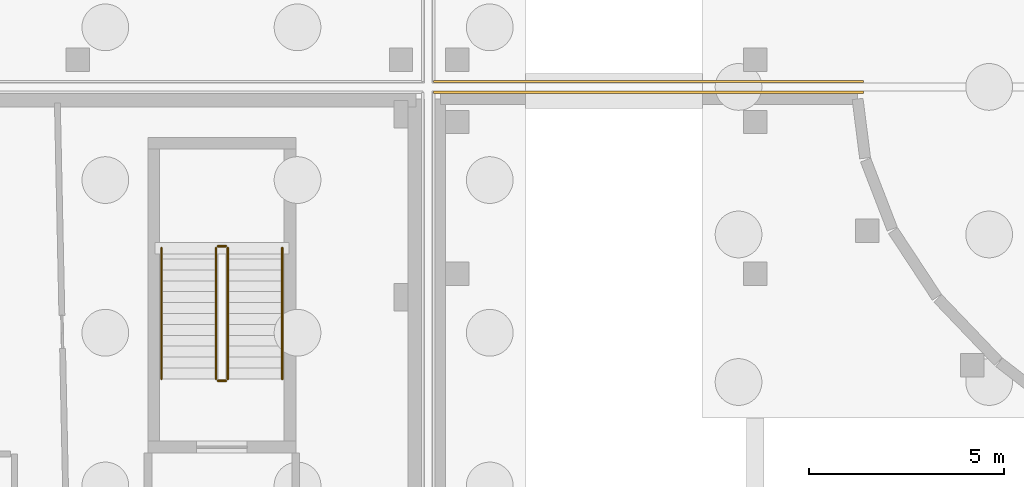
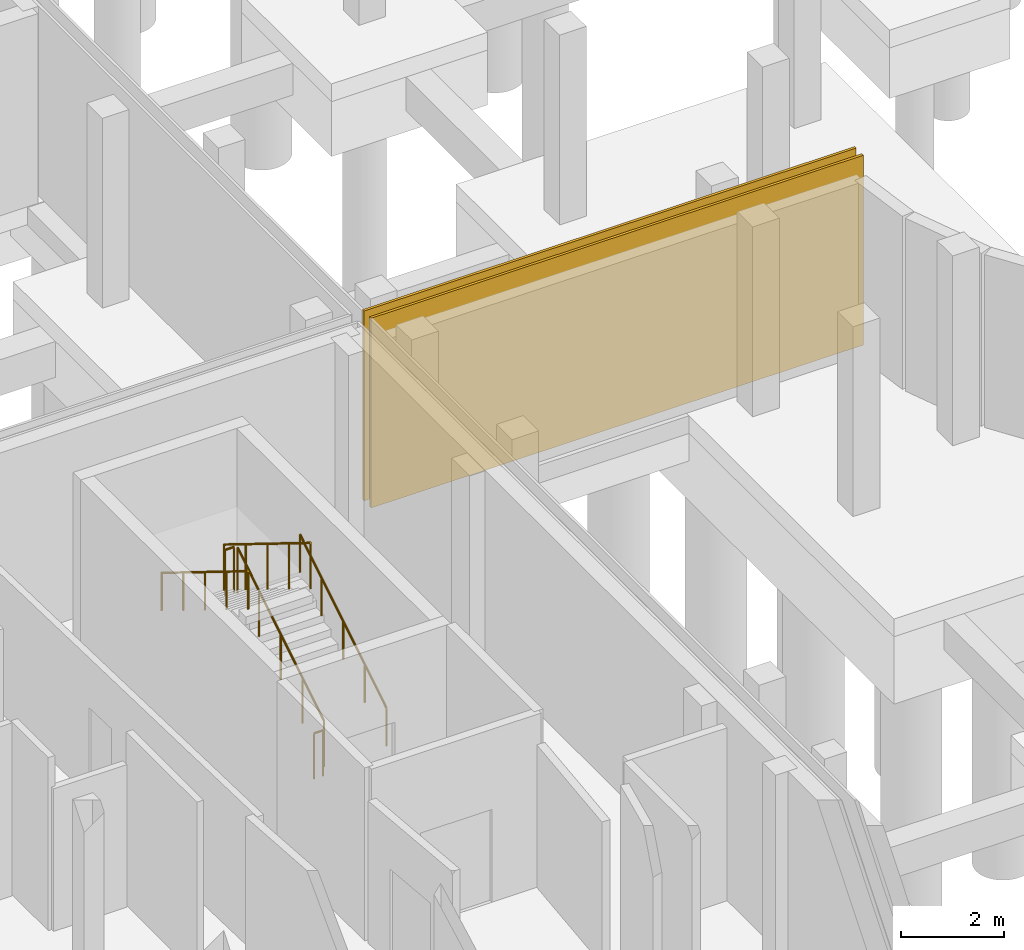
# One storey, part 32 of 40: 6 railings, 2 coverings.
"""IFC4 building model written with IfcOpenShell, lengths in metres."""

from ifc_helpers import new_model, si_unit, direction, frame, origin, origin_2d, place, context, subcontext, project, spatial, rectangle, circle, extrude, material, layer, layer_set, type_object, element, save


model = new_model("IFC4")

# Units and contexts
model_context = context("Model", 3, precision=1e-05, world=origin(), true_north=direction((0.0, 1.0)))
body_context = subcontext(model_context, "Body", "Model", "MODEL_VIEW")
ifc_project = project(units=[si_unit("LENGTHUNIT", "METRE"), si_unit("AREAUNIT", "SQUARE_METRE"), si_unit("VOLUMEUNIT", "CUBIC_METRE"), si_unit("PLANEANGLEUNIT", "RADIAN"), si_unit("MASSUNIT", "GRAM", prefix="KILO")], contexts=[model_context])

# Site, building, storey
site_placement = place(None, origin())
site = spatial("IfcSite", under=ifc_project, at=site_placement, CompositionType="ELEMENT")
building_placement = place(site_placement, origin())
building = spatial("IfcBuilding", under=site, at=building_placement, Name="Mzevani Central Library", CompositionType="ELEMENT")
storey_placement = place(building_placement, frame((0.0, 0.0, -4.5)))
storey = spatial("IfcBuildingStorey", under=building, at=storey_placement, Name="B1", CompositionType="ELEMENT", Elevation=-4.5)

# Railings
ifc_material_1 = material(Name="Brushed stainless steel rail", Category="steel")
railing_type_1 = type_object("IfcRailingType", Name="Interior Gallery and Stair Guard 1100", PredefinedType="BALUSTRADE", material=ifc_material_1)
railing_1_placement = place(storey_placement, frame((40.85009765625, 68.5, 0.173095703125)))
element("IfcRailing", 1, at=railing_1_placement, inside=storey, type_object=railing_type_1, Name="B1 ST-10 stair guard 1", PredefinedType="BALUSTRADE", context=body_context, shape_type="SweptSolid", body=[
    extrude(circle(Radius=0.02392578125, at=origin_2d()), frame((0.0, 0.0, 1.076171875), z_axis=(0.0, 0.850623216509, 0.525775754039), x_axis=(-1.0, 0.0, 0.0)), (0.0, 0.0, 1.0), 3.9501953125),
    extrude(circle(Radius=0.02099609375, at=origin_2d()), origin(), (0.0, 0.0, 1.0), 1.052001953125),
    extrude(circle(Radius=0.02099609375, at=origin_2d()), frame((0.0, 0.840087890625, 0.519287109375)), (0.0, 0.0, 1.0), 1.052001953125),
    extrude(circle(Radius=0.02099609375, at=origin_2d()), frame((0.0, 1.68017578125, 1.03857421875)), (0.0, 0.0, 1.0), 1.052001953125),
    extrude(circle(Radius=0.02099609375, at=origin_2d()), frame((0.0, 2.52001953125, 1.5576171875)), (0.0, 0.0, 1.0), 1.052001953125),
    extrude(circle(Radius=0.02099609375, at=origin_2d()), frame((0.0, 3.360107421875, 2.076904296875)), (0.0, 0.0, 1.0), 1.052001953125),
])
railing_2_placement = place(storey_placement, frame((40.800048828125, 71.909912109375, 2.25)))
element("IfcRailing", 2, at=railing_2_placement, inside=storey, type_object=railing_type_1, Name="B1 ST-10 stair guard 2", PredefinedType="BALUSTRADE", context=body_context, shape_type="SweptSolid", body=[
    extrude(circle(Radius=0.02392578125, at=origin_2d()), frame((0.0, 0.0, 1.076171875), z_axis=(-1.0, 0.0, 0.0), x_axis=(0.0, -1.0, 0.0)), (0.0, 0.0, 1.0), 0.199951171875),
    extrude(circle(Radius=0.02099609375, at=origin_2d()), origin(), (0.0, 0.0, 1.0), 1.052001953125),
    extrude(circle(Radius=0.02099609375, at=origin_2d()), frame((-0.199951171875, 0.0, 0.0)), (0.0, 0.0, 1.0), 1.052001953125),
])
railing_3_placement = place(storey_placement, frame((40.550048828125, 71.860107421875, 2.423095703125)))
element("IfcRailing", 3, at=railing_3_placement, inside=storey, type_object=railing_type_1, Name="B1 ST-10 stair guard 3", PredefinedType="BALUSTRADE", context=body_context, shape_type="SweptSolid", body=[
    extrude(circle(Radius=0.02392578125, at=origin_2d()), frame((0.0, 0.0, 1.076171875), z_axis=(0.0, -0.850623216509, 0.525775754039), x_axis=(1.0, 0.0, 0.0)), (0.0, 0.0, 1.0), 3.9501953125),
    extrude(circle(Radius=0.02099609375, at=origin_2d()), origin(), (0.0, 0.0, 1.0), 1.052001953125),
    extrude(circle(Radius=0.02099609375, at=origin_2d()), frame((0.0, -0.840087890625, 0.519287109375)), (0.0, 0.0, 1.0), 1.052001953125),
    extrude(circle(Radius=0.02099609375, at=origin_2d()), frame((0.0, -1.68017578125, 1.03857421875)), (0.0, 0.0, 1.0), 1.052001953125),
    extrude(circle(Radius=0.02099609375, at=origin_2d()), frame((0.0, -2.52001953125, 1.5576171875)), (0.0, 0.0, 1.0), 1.052001953125),
    extrude(circle(Radius=0.02099609375, at=origin_2d()), frame((0.0, -3.360107421875, 2.076904296875)), (0.0, 0.0, 1.0), 1.052001953125),
])
railing_4_placement = place(storey_placement, frame((40.800048828125, 68.449951171875, 0.0)))
element("IfcRailing", 4, at=railing_4_placement, inside=storey, type_object=railing_type_1, Name="B1 ST-10 stair guard 4", PredefinedType="BALUSTRADE", context=body_context, shape_type="SweptSolid", body=[
    extrude(circle(Radius=0.02392578125, at=origin_2d()), frame((0.0, 0.0, 1.076171875), z_axis=(-1.0, 0.0, 0.0), x_axis=(0.0, -1.0, 0.0)), (0.0, 0.0, 1.0), 0.199951171875),
    extrude(circle(Radius=0.02099609375, at=origin_2d()), origin(), (0.0, 0.0, 1.0), 1.052001953125),
    extrude(circle(Radius=0.02099609375, at=origin_2d()), frame((-0.199951171875, 0.0, 0.0)), (0.0, 0.0, 1.0), 1.052001953125),
])

# Coverings
ifc_material_2 = material(Name="Limestone ashlar cladding", Category="masonry")
ifc_layer = layer(ifc_material_2, 0.050048828125, Name="Limestone Ashlar Spandrel Cladding")
ifc_layer_set = layer_set([ifc_layer], Name="Limestone ashlar cladding")
covering_type = type_object("IfcCoveringType", Name="Limestone Ashlar Spandrel Cladding", PredefinedType="CLADDING", material=ifc_layer_set)
for number, where, z_axis, x_axis, name in (
    (5, (51.65869140625, 75.860107421875, 0.0), (0.0, 0.0, 1.0), (1.0, 0.0, 0.0), "B1 V1 Perimeter Plinth Cladding (4)"),
    (6, (51.65869140625, 76.139892578125, 0.0), (0.0, 0.0, 1.0), (-1.0, 0.0, 0.0), "B1 V3 Perimeter Plinth Cladding (47)"),
):
    element("IfcCovering", number, at=place(storey_placement, frame(where, z_axis=z_axis, x_axis=x_axis)), inside=storey, type_object=covering_type, Name=name, PredefinedType="CLADDING", context=body_context, shape_type="SweptSolid", body=[
        extrude(rectangle(XDim=11.03759765625, YDim=0.06005859375, at=origin_2d()), origin(), (0.0, 0.0, 1.0), 4.5),
    ])

# Railings
railing_type_2 = type_object("IfcRailingType", Name="Stair Wall Handrail 920", PredefinedType="HANDRAIL", material=ifc_material_1)
railing_5_placement = place(storey_placement, frame((42.25, 68.5, 0.173095703125)))
element("IfcRailing", 7, at=railing_5_placement, inside=storey, type_object=railing_type_2, Name="B1 ST-10 stair handrail 1", PredefinedType="HANDRAIL", context=body_context, shape_type="SweptSolid", body=[
    extrude(circle(Radius=0.02392578125, at=origin_2d()), frame((0.0, 0.0, 0.89599609375), z_axis=(0.0, 0.850623216509, 0.525775754039), x_axis=(-1.0, 0.0, 0.0)), (0.0, 0.0, 1.0), 3.9501953125),
    extrude(circle(Radius=0.02099609375, at=origin_2d()), origin(), (0.0, 0.0, 1.0), 0.871826171875),
    extrude(circle(Radius=0.02099609375, at=origin_2d()), frame((0.0, 0.840087890625, 0.519287109375)), (0.0, 0.0, 1.0), 0.871826171875),
    extrude(circle(Radius=0.02099609375, at=origin_2d()), frame((0.0, 1.68017578125, 1.03857421875)), (0.0, 0.0, 1.0), 0.871826171875),
    extrude(circle(Radius=0.02099609375, at=origin_2d()), frame((0.0, 2.52001953125, 1.5576171875)), (0.0, 0.0, 1.0), 0.871826171875),
    extrude(circle(Radius=0.02099609375, at=origin_2d()), frame((0.0, 3.360107421875, 2.076904296875)), (0.0, 0.0, 1.0), 0.871826171875),
])
railing_6_placement = place(storey_placement, frame((39.14990234375, 71.860107421875, 2.423095703125)))
element("IfcRailing", 8, at=railing_6_placement, inside=storey, type_object=railing_type_2, Name="B1 ST-10 stair handrail 2", PredefinedType="HANDRAIL", context=body_context, shape_type="SweptSolid", body=[
    extrude(circle(Radius=0.02392578125, at=origin_2d()), frame((0.0, 0.0, 0.89599609375), z_axis=(0.0, -0.850623216509, 0.525775754039), x_axis=(1.0, 0.0, 0.0)), (0.0, 0.0, 1.0), 3.9501953125),
    extrude(circle(Radius=0.02099609375, at=origin_2d()), origin(), (0.0, 0.0, 1.0), 0.871826171875),
    extrude(circle(Radius=0.02099609375, at=origin_2d()), frame((0.0, -0.840087890625, 0.519287109375)), (0.0, 0.0, 1.0), 0.871826171875),
    extrude(circle(Radius=0.02099609375, at=origin_2d()), frame((0.0, -1.68017578125, 1.03857421875)), (0.0, 0.0, 1.0), 0.871826171875),
    extrude(circle(Radius=0.02099609375, at=origin_2d()), frame((0.0, -2.52001953125, 1.5576171875)), (0.0, 0.0, 1.0), 0.871826171875),
    extrude(circle(Radius=0.02099609375, at=origin_2d()), frame((0.0, -3.360107421875, 2.076904296875)), (0.0, 0.0, 1.0), 0.871826171875),
])

save(model, "model.ifc")
